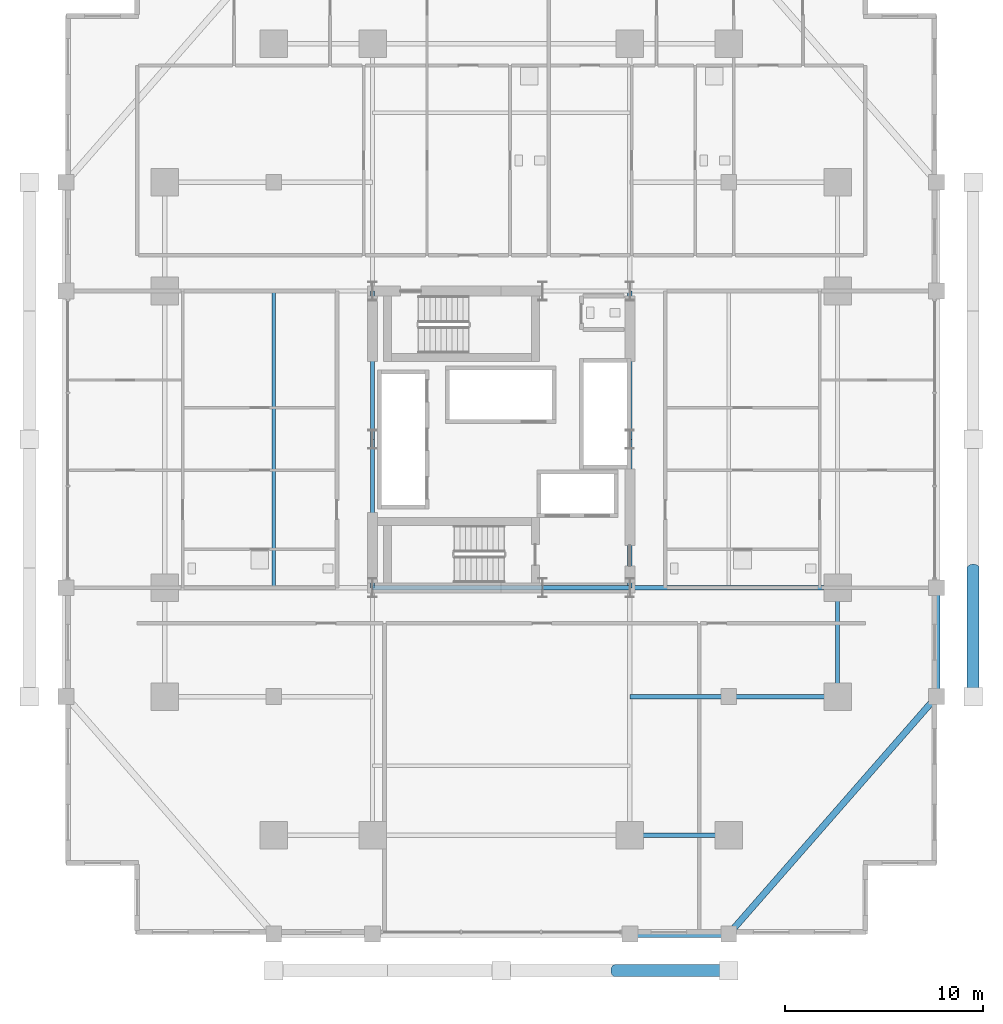
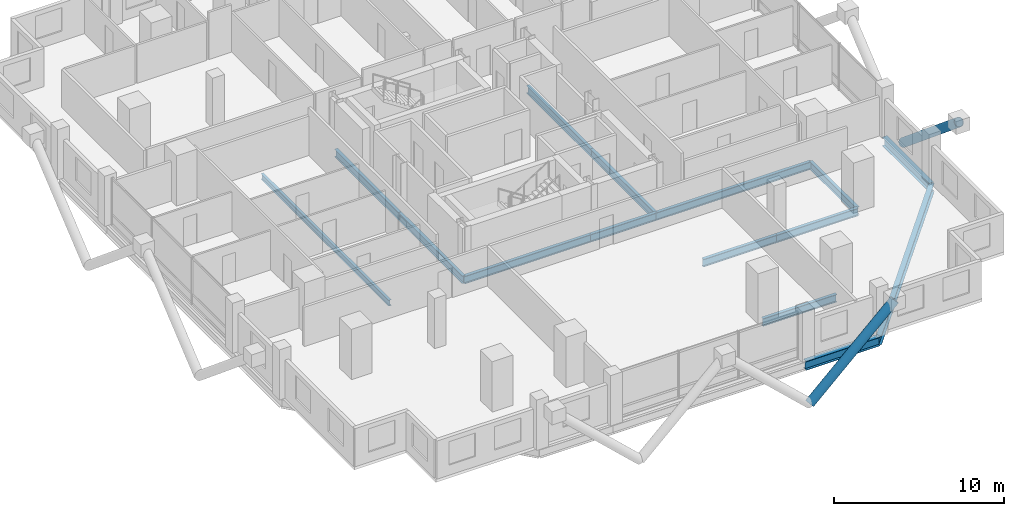
# One storey, part 7 of 23: 15 beams, 2 members.
"""IFC4 building model written with IfcOpenShell, lengths in metres."""

from ifc_helpers import new_model, si_unit, direction, frame, origin, origin_2d, place, context, subcontext, project, spatial, hollow_circle, i_section, extrude, material, material_profile, profile_set, type_object, element, save


model = new_model("IFC4")

# Units and contexts
model_context = context("Model", 3, precision=1e-05, world=origin(), true_north=direction((0.0, 1.0)))
body_context = subcontext(model_context, "Body", "Model", "MODEL_VIEW")
ifc_project = project(units=[si_unit("LENGTHUNIT", "METRE"), si_unit("AREAUNIT", "SQUARE_METRE"), si_unit("VOLUMEUNIT", "CUBIC_METRE"), si_unit("PLANEANGLEUNIT", "RADIAN"), si_unit("MASSUNIT", "GRAM", prefix="KILO")], contexts=[model_context])

# Site, building, storey
site_placement = place(None, origin())
site = spatial("IfcSite", under=ifc_project, at=site_placement, CompositionType="ELEMENT")
building_placement = place(site_placement, origin())
building = spatial("IfcBuilding", under=site, at=building_placement, Name="Barlavira Tower and Art Museum", CompositionType="ELEMENT")
storey_placement = place(building_placement, frame((0.0, 0.0, 57.60009765625)))
storey = spatial("IfcBuildingStorey", under=building, at=storey_placement, Name="L13", CompositionType="ELEMENT", Elevation=57.60009765625)

# Members
ifc_material = material(Name="Steel S355", Category="steel")
ifc_material_profile_1 = material_profile(ifc_material, hollow_circle(Radius=0.304931640625, WallThickness=0.028076171875, at=origin_2d()), Name="CHS 610.0x28.0")
ifc_profile_set_1 = profile_set([ifc_material_profile_1], Name="Steel S355")
member_type = type_object("IfcMemberType", Name="Pale-Metal Exoskeleton Diagrid Tube CHS 610x28 Steel S355", PredefinedType="BRACE", material=ifc_profile_set_1)
member_1_placement = place(storey_placement, frame((5.75, -26.85009765625, -1.920166015625), z_axis=(0.728934650808, 0.0, 0.684583285548), x_axis=(0.0, 1.0, 0.0)))
element("IfcMember", 1, at=member_1_placement, inside=storey, type_object=member_type, Name="L13 Exoskeleton Diagrid Tube S", PredefinedType="BRACE", context=body_context, shape_type="SweptSolid", body=[
    extrude(hollow_circle(Radius=0.304931640625, WallThickness=0.028076171875, at=origin_2d()), origin(), (0.0, 0.0, 1.0), 7.88818359375),
])
member_2_placement = place(storey_placement, frame((23.85009765625, -6.5, -1.920166015625), z_axis=(0.0, -0.76918185268, 0.639029950399), x_axis=(1.0, 0.0, 0.0)))
element("IfcMember", 2, at=member_2_placement, inside=storey, type_object=member_type, Name="L13 Exoskeleton Diagrid Tube E", PredefinedType="BRACE", context=body_context, shape_type="SweptSolid", body=[
    extrude(hollow_circle(Radius=0.304931640625, WallThickness=0.028076171875, at=origin_2d()), origin(), (0.0, 0.0, 1.0), 8.450439453125),
])

# Beams
ifc_material_profile_2 = material_profile(ifc_material, i_section(OverallWidth=0.327880859375, OverallDepth=0.62890625, WebThickness=0.013916015625, FlangeThickness=0.021484375, at=origin_2d()), Name="W610x174.0")
ifc_profile_set_2 = profile_set([ifc_material_profile_2], Name="Steel S355")
beam_type_1 = type_object("IfcBeamType", Name="Perimeter Spandrel Edge Beam W610x174 Steel S355", PredefinedType="SPANDREL", material=ifc_profile_set_2)
beam_1_placement = place(storey_placement, frame((6.5, -25.0, -0.53466796875), z_axis=(1.0, 0.0, 0.0), x_axis=(0.0, 1.0, 0.0)))
element("IfcBeam", 3, at=beam_1_placement, inside=storey, type_object=beam_type_1, Name="L13 Spandrel 3", PredefinedType="SPANDREL", context=body_context, shape_type="SweptSolid", body=[
    extrude(i_section(OverallWidth=0.327880859375, OverallDepth=0.62890625, WebThickness=0.013916015625, FlangeThickness=0.021484375, at=origin_2d()), origin(), (0.0, 0.0, 1.0), 5.0),
])
beam_2_placement = place(storey_placement, frame((11.5, -25.0, -0.53466796875), z_axis=(0.658504607869, 0.752576694707, 0.0), x_axis=(-0.752576694707, 0.658504607869, 0.0)))
element("IfcBeam", 4, at=beam_2_placement, inside=storey, type_object=beam_type_1, Name="L13 Spandrel 4", PredefinedType="SPANDREL", context=body_context, shape_type="SweptSolid", body=[
    extrude(i_section(OverallWidth=0.327880859375, OverallDepth=0.62890625, WebThickness=0.013916015625, FlangeThickness=0.021484375, at=origin_2d()), origin(), (0.0, 0.0, 1.0), 15.9453125),
])
beam_3_placement = place(storey_placement, frame((22.0, -13.0, -0.53466796875), z_axis=(0.0, 1.0, 0.0), x_axis=(-1.0, 0.0, 0.0)))
element("IfcBeam", 5, at=beam_3_placement, inside=storey, type_object=beam_type_1, Name="L13 Spandrel 5", PredefinedType="SPANDREL", context=body_context, shape_type="SweptSolid", body=[
    extrude(i_section(OverallWidth=0.327880859375, OverallDepth=0.62890625, WebThickness=0.013916015625, FlangeThickness=0.021484375, at=origin_2d()), origin(), (0.0, 0.0, 1.0), 5.5),
])
ifc_material_profile_3 = material_profile(ifc_material, i_section(OverallWidth=0.180908203125, OverallDepth=0.4169921875, WebThickness=0.010986328125, FlangeThickness=0.018310546875, at=origin_2d()), Name="W410x85.0")
ifc_profile_set_3 = profile_set([ifc_material_profile_3], Name="Steel S355")
beam_type_2 = type_object("IfcBeamType", Name="Zone 1 Composite Floor Joist W410x85 Steel S355", PredefinedType="JOIST", material=ifc_profile_set_3)
beam_4_placement = place(storey_placement, frame((-11.5, -7.5, -0.4287109375), z_axis=(0.0, 1.0, 0.0), x_axis=(-1.0, 0.0, 0.0)))
element("IfcBeam", 6, at=beam_4_placement, inside=storey, type_object=beam_type_2, Name="L13 Joist W1", PredefinedType="JOIST", context=body_context, shape_type="SweptSolid", body=[
    extrude(i_section(OverallWidth=0.180908203125, OverallDepth=0.4169921875, WebThickness=0.010986328125, FlangeThickness=0.018310546875, at=origin_2d()), origin(), (0.0, 0.0, 1.0), 15.0),
])
ifc_material_profile_4 = material_profile(ifc_material, i_section(OverallWidth=0.214111328125, OverallDepth=0.549072265625, WebThickness=0.0146484375, FlangeThickness=0.023681640625, at=origin_2d()), Name="W530x138.0")
ifc_profile_set_4 = profile_set([ifc_material_profile_4], Name="Steel S355")
beam_type_3 = type_object("IfcBeamType", Name="Zone 1 Primary Floor Girder W530x138 Steel S355", PredefinedType="BEAM", material=ifc_profile_set_4)
beam_5_placement = place(storey_placement, frame((-6.5, -7.5, -0.49462890625), z_axis=(1.0, 0.0, 0.0), x_axis=(0.0, 1.0, 0.0)))
element("IfcBeam", 7, at=beam_5_placement, inside=storey, type_object=beam_type_3, Name="L13 Girder C-S1", PredefinedType="BEAM", context=body_context, shape_type="SweptSolid", body=[
    extrude(i_section(OverallWidth=0.214111328125, OverallDepth=0.549072265625, WebThickness=0.0146484375, FlangeThickness=0.023681640625, at=origin_2d()), origin(), (0.0, 0.0, 1.0), 8.580078125),
])
beam_6_placement = place(storey_placement, frame((2.080078125, -7.5, -0.49462890625), z_axis=(1.0, 0.0, 0.0), x_axis=(0.0, 1.0, 0.0)))
element("IfcBeam", 8, at=beam_6_placement, inside=storey, type_object=beam_type_3, Name="L13 Girder C-S2", PredefinedType="BEAM", context=body_context, shape_type="SweptSolid", body=[
    extrude(i_section(OverallWidth=0.214111328125, OverallDepth=0.549072265625, WebThickness=0.0146484375, FlangeThickness=0.023681640625, at=origin_2d()), origin(), (0.0, 0.0, 1.0), 4.419921875),
])
for number, where, z_axis, x_axis, name in (
    (9, (-6.5, -7.5, -0.49462890625), (0.0, 1.0, 0.0), (-1.0, 0.0, 0.0), "L13 Girder C-W1"),
    (10, (-6.5, 0.0, -0.49462890625), (0.0, 1.0, 0.0), (-1.0, 0.0, 0.0), "L13 Girder C-W2"),
    (11, (6.5, -7.5, -0.49462890625), (0.0, 1.0, 0.0), (-1.0, 0.0, 0.0), "L13 Girder C-E1"),
    (12, (6.5, 0.0, -0.49462890625), (0.0, 1.0, 0.0), (-1.0, 0.0, 0.0), "L13 Girder C-E2"),
):
    element("IfcBeam", number, at=place(storey_placement, frame(where, z_axis=z_axis, x_axis=x_axis)), inside=storey, type_object=beam_type_3, Name=name, PredefinedType="BEAM", context=body_context, shape_type="SweptSolid", body=[
        extrude(i_section(OverallWidth=0.214111328125, OverallDepth=0.549072265625, WebThickness=0.0146484375, FlangeThickness=0.023681640625, at=origin_2d()), origin(), (0.0, 0.0, 1.0), 7.5),
    ])
beam_7_placement = place(storey_placement, frame((6.5, -20.0, -0.49462890625), z_axis=(1.0, 0.0, 0.0), x_axis=(0.0, 1.0, 0.0)))
element("IfcBeam", 13, at=beam_7_placement, inside=storey, type_object=beam_type_3, Name="L13 Girder M-S3", PredefinedType="BEAM", context=body_context, shape_type="SweptSolid", body=[
    extrude(i_section(OverallWidth=0.214111328125, OverallDepth=0.549072265625, WebThickness=0.0146484375, FlangeThickness=0.023681640625, at=origin_2d()), origin(), (0.0, 0.0, 1.0), 5.0),
])
beam_8_placement = place(storey_placement, frame((17.0, -13.0, -0.49462890625), z_axis=(0.0, 1.0, 0.0), x_axis=(-1.0, 0.0, 0.0)))
element("IfcBeam", 14, at=beam_8_placement, inside=storey, type_object=beam_type_3, Name="L13 Girder M-E1", PredefinedType="BEAM", context=body_context, shape_type="SweptSolid", body=[
    extrude(i_section(OverallWidth=0.214111328125, OverallDepth=0.549072265625, WebThickness=0.0146484375, FlangeThickness=0.023681640625, at=origin_2d()), origin(), (0.0, 0.0, 1.0), 5.5),
])
beam_9_placement = place(storey_placement, frame((6.5, -7.5, -0.49462890625), z_axis=(1.0, 0.0, 0.0), x_axis=(0.0, 1.0, 0.0)))
element("IfcBeam", 15, at=beam_9_placement, inside=storey, type_object=beam_type_3, Name="L13 Girder R-E1", PredefinedType="BEAM", context=body_context, shape_type="SweptSolid", body=[
    extrude(i_section(OverallWidth=0.214111328125, OverallDepth=0.549072265625, WebThickness=0.0146484375, FlangeThickness=0.023681640625, at=origin_2d()), origin(), (0.0, 0.0, 1.0), 10.5),
])
beam_10_placement = place(storey_placement, frame((6.5, -13.0, -0.49462890625), z_axis=(1.0, 0.0, 0.0), x_axis=(0.0, 1.0, 0.0)))
element("IfcBeam", 16, at=beam_10_placement, inside=storey, type_object=beam_type_3, Name="L13 Girder I-S3", PredefinedType="BEAM", context=body_context, shape_type="SweptSolid", body=[
    extrude(i_section(OverallWidth=0.214111328125, OverallDepth=0.549072265625, WebThickness=0.0146484375, FlangeThickness=0.023681640625, at=origin_2d()), origin(), (0.0, 0.0, 1.0), 5.0),
])
beam_11_placement = place(storey_placement, frame((11.5, -13.0, -0.49462890625), z_axis=(1.0, 0.0, 0.0), x_axis=(0.0, 1.0, 0.0)))
element("IfcBeam", 17, at=beam_11_placement, inside=storey, type_object=beam_type_3, Name="L13 Girder I-S4", PredefinedType="BEAM", context=body_context, shape_type="SweptSolid", body=[
    extrude(i_section(OverallWidth=0.214111328125, OverallDepth=0.549072265625, WebThickness=0.0146484375, FlangeThickness=0.023681640625, at=origin_2d()), origin(), (0.0, 0.0, 1.0), 5.5),
])

save(model, "model.ifc")
